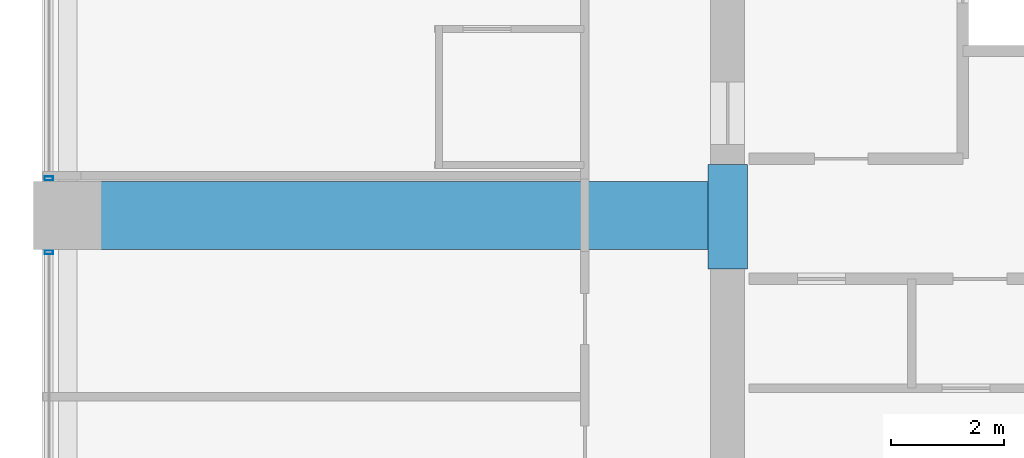
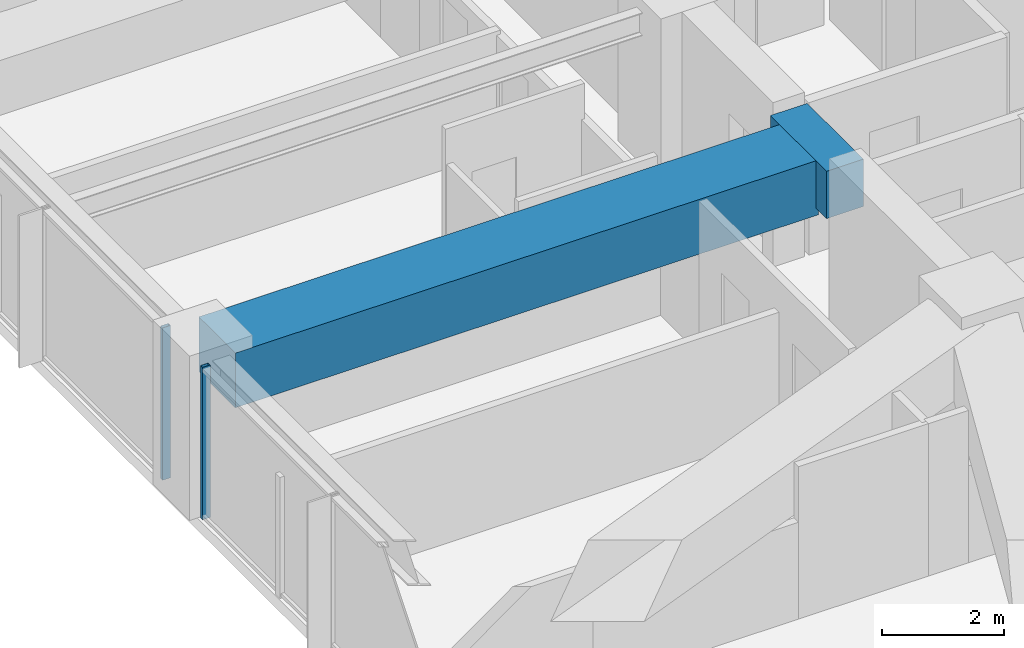
# One storey, part 8 of 37: 2 beams, 2 members, 2 elements without a shape of their own.
"""IFC4 building model written with IfcOpenShell, lengths in metres."""

from ifc_helpers import new_model, si_unit, direction, frame, origin, origin_2d, place, context, subcontext, project, spatial, rectangle, hollow_rectangle, extrude, material, material_profile, profile_set, type_object, element, aggregate, save


model = new_model("IFC4")

# Units and contexts
model_context = context("Model", 3, precision=1e-05, world=origin(), true_north=direction((0.0, 1.0)))
body_context = subcontext(model_context, "Body", "Model", "MODEL_VIEW")
ifc_project = project(units=[si_unit("LENGTHUNIT", "METRE"), si_unit("AREAUNIT", "SQUARE_METRE"), si_unit("VOLUMEUNIT", "CUBIC_METRE"), si_unit("PLANEANGLEUNIT", "RADIAN"), si_unit("MASSUNIT", "GRAM", prefix="KILO")], contexts=[model_context])

# Site, building, storey
site_placement = place(None, origin())
site = spatial("IfcSite", under=ifc_project, at=site_placement, CompositionType="ELEMENT")
building_placement = place(site_placement, origin())
building = spatial("IfcBuilding", under=site, at=building_placement, Name="Kolvaren Belvedere", CompositionType="ELEMENT")
storey_placement = place(building_placement, frame((0.0, 0.0, 37.0)))
storey = spatial("IfcBuildingStorey", under=building, at=storey_placement, Name="L10", CompositionType="ELEMENT", Elevation=37.0)

# Beams
ifc_material_1 = material(Name="Concrete C60/75", Category="concrete")
ifc_material_profile_1 = material_profile(ifc_material_1, rectangle(XDim=0.699951171875, YDim=0.949951171875, at=origin_2d()), Name="RC 700X950")
ifc_profile_set_1 = profile_set([ifc_material_profile_1], Name="Concrete C60/75")
beam_type_1 = type_object("IfcBeamType", Name="BM-LINT-950", PredefinedType="LINTEL", material=ifc_profile_set_1)
beam_1_placement = place(storey_placement, frame((-9.89990234375, -5.550048828125, 2.5849609375), z_axis=(0.0, 1.0, 0.0), x_axis=(-1.0, 0.0, 0.0)))
element("IfcBeam", 1, at=beam_1_placement, inside=storey, type_object=beam_type_1, Name="L10 West Core Coupling Lintel", PredefinedType="LINTEL", context=body_context, shape_type="SweptSolid", body=[
    extrude(rectangle(XDim=0.699951171875, YDim=0.949951171875, at=origin_2d()), origin(), (0.0, 0.0, 1.0), 1.85009765625),
])
ifc_material_2 = material(Name="Concrete C50/60", Category="concrete")
ifc_material_profile_2 = material_profile(ifc_material_2, rectangle(XDim=1.199951171875, YDim=1.10009765625, at=origin_2d()), Name="RC 1200X1100")
ifc_profile_set_2 = profile_set([ifc_material_profile_2], Name="Concrete C50/60")
beam_type_2 = type_object("IfcBeamType", Name="BM-TG-1100", PredefinedType="BEAM", material=ifc_profile_set_2)
beam_2_placement = place(storey_placement, frame((-10.199951171875, -4.60009765625, 2.510009765625), z_axis=(-1.0, 0.0, 0.0), x_axis=(0.0, -1.0, 0.0)))
element("IfcBeam", 2, at=beam_2_placement, inside=storey, type_object=beam_type_2, Name="L10 West Radial Girder M", PredefinedType="BEAM", context=body_context, shape_type="SweptSolid", body=[
    extrude(rectangle(XDim=1.199951171875, YDim=1.10009765625, at=origin_2d()), origin(), (0.0, 0.0, 1.0), 11.080078125),
])

# Curtain wall, member
ifc_material_3 = material(Name="Anodised pale-metal aluminium AA 6063-T6", Category="aluminium")
curtain_wall_type = type_object("IfcCurtainWallType", Name="CW-Z1-LOW", PredefinedType="NOTDEFINED", material=ifc_material_3)
curtain_wall_1_placement = place(storey_placement, origin())
curtain_wall_1 = element("IfcCurtainWall", 3, at=curtain_wall_1_placement, inside=storey, type_object=curtain_wall_type, Name="L10 Unitised Curtain Wall FCW-L10-W-B1", PredefinedType="NOTDEFINED")
ifc_material_4 = material(Name="Anodised pale-metal aluminium AA 6063-T6", Category="aluminium")
ifc_material_profile_3 = material_profile(ifc_material_4, hollow_rectangle(XDim=0.070068359375, YDim=0.14990234375, WallThickness=0.004150390625, at=origin_2d()), Name="ALU-MUL-150X70")
ifc_profile_set_3 = profile_set([ifc_material_profile_3], Name="Anodised pale-metal aluminium AA 6063-T6")
member_type = type_object("IfcMemberType", Name="CW-MUL-150", PredefinedType="MULLION", material=ifc_profile_set_3)
member_1_placement = place(storey_placement, frame((-21.8798828125, -5.2548828125, 0.0), z_axis=(0.0, 0.0, 1.0), x_axis=(0.0, 1.0, 0.0)))
member_1 = element("IfcMember", 4, at=member_1_placement, type_object=member_type, Name="FCW-L10-W-B1 Unitised Mullion 3", PredefinedType="MULLION", context=body_context, shape_type="SweptSolid", body=[
    extrude(hollow_rectangle(XDim=0.070068359375, YDim=0.14990234375, WallThickness=0.004150390625, at=origin_2d()), origin(), (0.0, 0.0, 1.0), 3.06005859375),
])
aggregate(curtain_wall_1, [member_1])

curtain_wall_2_placement = place(storey_placement, origin())
curtain_wall_2 = element("IfcCurtainWall", 5, at=curtain_wall_2_placement, inside=storey, type_object=curtain_wall_type, Name="L10 Unitised Curtain Wall FCW-L10-W-B2", PredefinedType="NOTDEFINED")
member_2_placement = place(storey_placement, frame((-21.8798828125, -3.945068359375, 0.0), z_axis=(0.0, 0.0, 1.0), x_axis=(0.0, 1.0, 0.0)))
member_2 = element("IfcMember", 6, at=member_2_placement, type_object=member_type, Name="FCW-L10-W-B2 Unitised Mullion 1", PredefinedType="MULLION", context=body_context, shape_type="SweptSolid", body=[
    extrude(hollow_rectangle(XDim=0.070068359375, YDim=0.14990234375, WallThickness=0.004150390625, at=origin_2d()), origin(), (0.0, 0.0, 1.0), 3.06005859375),
])
aggregate(curtain_wall_2, [member_2])

save(model, "model.ifc")
